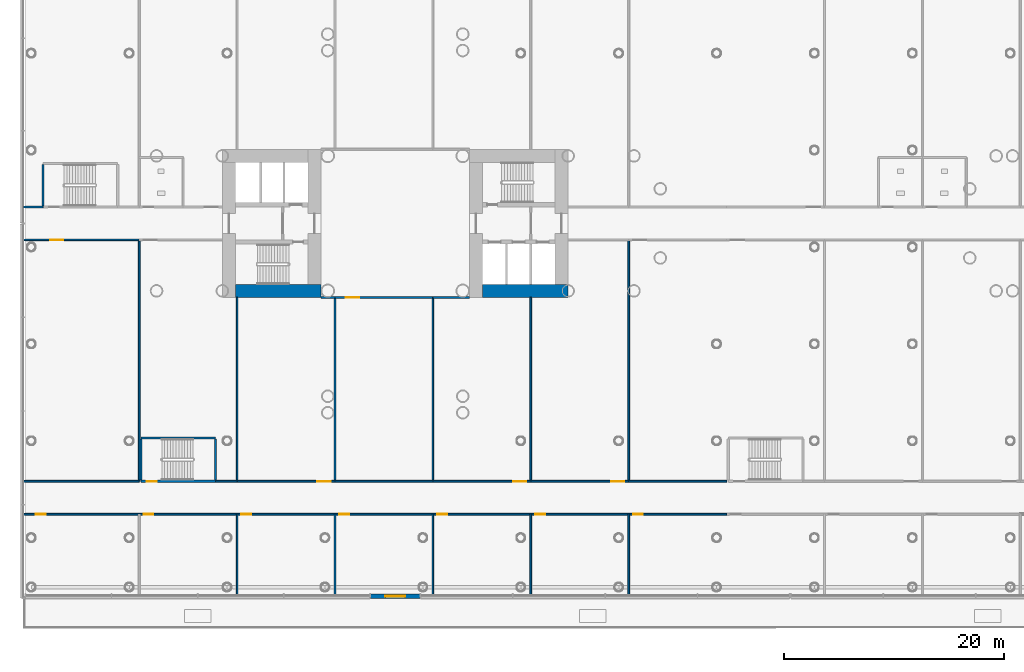
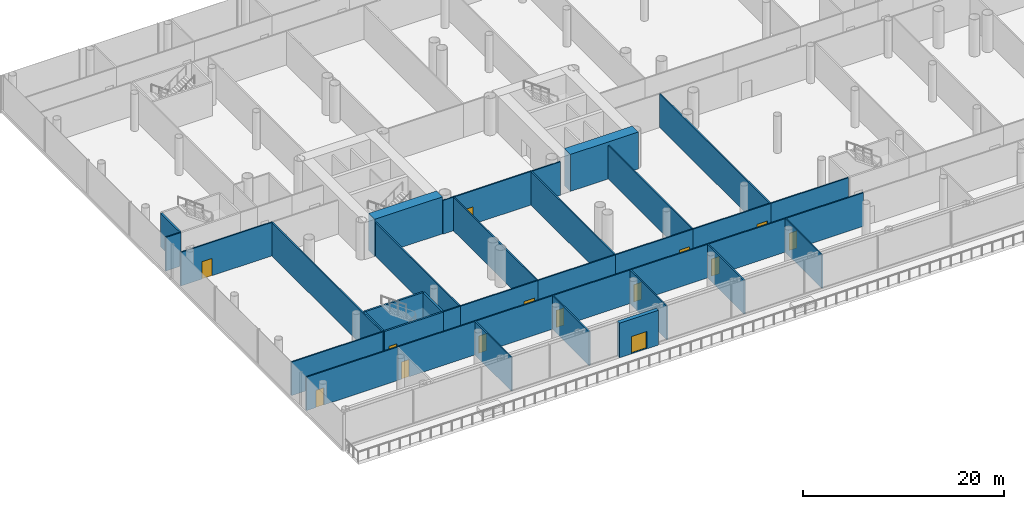
# One storey, part 17 of 51: 38 walls, 14 doors, 14 openings.
"""IFC4 building model written with IfcOpenShell, lengths in metres."""

from ifc_helpers import new_model, si_unit, direction, frame, frame_2d, origin, place, context, subcontext, project, spatial, rectangle, extrude, material, layer, layer_set, type_object, element, fill, save


model = new_model("IFC4")

# Units and contexts
model_context = context("Model", 3, precision=1e-05, world=origin(), true_north=direction((0.0, 1.0)))
body_context = subcontext(model_context, "Body", "Model", "MODEL_VIEW")
ifc_project = project(units=[si_unit("LENGTHUNIT", "METRE"), si_unit("AREAUNIT", "SQUARE_METRE"), si_unit("VOLUMEUNIT", "CUBIC_METRE"), si_unit("PLANEANGLEUNIT", "RADIAN"), si_unit("MASSUNIT", "GRAM", prefix="KILO")], contexts=[model_context])

# Site, building, storey
site_placement = place(None, origin())
site = spatial("IfcSite", under=ifc_project, at=site_placement, CompositionType="ELEMENT")
building_placement = place(site_placement, origin())
building = spatial("IfcBuilding", under=site, at=building_placement, Name="Ipe Terrace Towers", CompositionType="ELEMENT")
storey_placement = place(building_placement, frame((0.0, 0.0, 15.5)))
storey = spatial("IfcBuildingStorey", under=building, at=storey_placement, Name="L03", CompositionType="ELEMENT", Elevation=15.5)

# Wall, opening, door
ifc_material_1 = material(Name="Gypsum board partition", Category="plasterboard")
ifc_layer_1 = layer(ifc_material_1, 0.14990234375)
ifc_layer_set_1 = layer_set([ifc_layer_1], Name="Gypsum board partition 150 mm")
wall_type_1 = type_object("IfcWallType", Name="Gypsum board partition 150 mm", PredefinedType="PARTITIONING", material=ifc_layer_set_1)
wall_1_placement = place(storey_placement, frame((-69.85009765625, -26.5, 0.0), z_axis=(0.0, 0.0, 1.0), x_axis=(1.0, 0.0, 0.0)))
wall_1 = element("IfcWall", 1, at=wall_1_placement, inside=storey, type_object=wall_type_1, Name="Gypsum board partition T1 L03 pd-r0-w0", PredefinedType="PARTITIONING", context=body_context, shape_type="SweptSolid", body=[
    extrude(rectangle(XDim=10.52001953125, YDim=0.14990234375, at=frame_2d((5.260009765625, 0.0))), origin(), (0.0, 0.0, 1.0), 4.080078125),
])
opening_1_placement = place(wall_1_placement, frame((1.10009765625, 0.0, 0.0)))
opening_1 = element("IfcOpeningElement", 2, at=opening_1_placement, cuts=wall_1, Name="Opening PD-L03-r0", PredefinedType="OPENING", context=body_context, shape_type="SweptSolid", body=[
    extrude(rectangle(XDim=0.89990234375, YDim=2.10009765625, at=frame_2d((0.449951171875, 1.050048828125))), frame((0.0, 0.0849609375, 0.0), z_axis=(0.0, -1.0, 0.0), x_axis=(1.0, 0.0, 0.0)), (0.0, 0.0, 1.0), 0.169921875),
])
ifc_material_2 = material(Name="Fire-rated timber door leaf", Category="wood")
door_type_1 = type_object("IfcDoorType", Name="Lounge door 900 x 2100 FD30S", OperationType="NOTDEFINED", PredefinedType="DOOR", material=ifc_material_2)
door_1_placement = place(opening_1_placement, origin())
door_1 = element("IfcDoor", 3, at=door_1_placement, inside=storey, type_object=door_type_1, Name="Lounge door PD-L03-r0", OperationType="SINGLE_SWING_RIGHT", OverallHeight=2.10009765625, OverallWidth=0.89990234375, PredefinedType="DOOR", context=body_context, shape_type="SweptSolid", body=[
    extrude(rectangle(XDim=0.89990234375, YDim=2.10009765625, at=frame_2d((0.449951171875, 1.050048828125))), frame((0.0, 0.02490234375, 0.0), z_axis=(0.0, -1.0, 0.0), x_axis=(1.0, 0.0, 0.0)), (0.0, 0.0, 1.0), 0.050048828125),
])
fill(opening_1, door_1)

wall_2_placement = place(storey_placement, frame((-69.85009765625, -1.5, 0.0), z_axis=(0.0, 0.0, 1.0), x_axis=(1.0, 0.0, 0.0)))
wall_2 = element("IfcWall", 4, at=wall_2_placement, inside=storey, type_object=wall_type_1, Name="Gypsum board partition T1 L03 pd-r1-w2", PredefinedType="PARTITIONING", context=body_context, shape_type="SweptSolid", body=[
    extrude(rectangle(XDim=10.52001953125, YDim=0.14990234375, at=frame_2d((5.260009765625, 0.0))), origin(), (0.0, 0.0, 1.0), 4.080078125),
])
opening_2_placement = place(wall_2_placement, frame((2.39990234375, 0.0, 0.0)))
opening_2 = element("IfcOpeningElement", 5, at=opening_2_placement, cuts=wall_2, Name="Opening PD-L03-r1", PredefinedType="OPENING", context=body_context, shape_type="SweptSolid", body=[
    extrude(rectangle(XDim=1.199951171875, YDim=2.10009765625, at=frame_2d((0.60009765625, 1.050048828125))), frame((0.0, 0.0849609375, 0.0), z_axis=(0.0, -1.0, 0.0), x_axis=(1.0, 0.0, 0.0)), (0.0, 0.0, 1.0), 0.169921875),
])
ifc_material_3 = material(Name="Fire-rated timber door leaf", Category="wood")
door_type_2 = type_object("IfcDoorType", Name="Lounge door 1200 x 2100 FD30S", OperationType="NOTDEFINED", PredefinedType="DOOR", material=ifc_material_3)
door_2_placement = place(opening_2_placement, origin())
door_2 = element("IfcDoor", 6, at=door_2_placement, inside=storey, type_object=door_type_2, Name="Lounge door PD-L03-r1", OperationType="SINGLE_SWING_RIGHT", OverallHeight=2.10009765625, OverallWidth=1.199951171875, PredefinedType="DOOR", context=body_context, shape_type="SweptSolid", body=[
    extrude(rectangle(XDim=1.199951171875, YDim=2.10009765625, at=frame_2d((0.60009765625, 1.050048828125))), frame((0.0, 0.02490234375, 0.0), z_axis=(0.0, -1.0, 0.0), x_axis=(1.0, 0.0, 0.0)), (0.0, 0.0, 1.0), 0.050048828125),
])
fill(opening_2, door_2)

# Walls
wall_3_placement = place(storey_placement, frame((-59.330078125, -23.5, 0.0), z_axis=(0.0, 0.0, 1.0), x_axis=(-1.0, 0.0, 0.0)))
element("IfcWall", 7, at=wall_3_placement, inside=storey, type_object=wall_type_1, Name="Gypsum board partition T1 L03 pd-r1-w3", PredefinedType="PARTITIONING", context=body_context, shape_type="SweptSolid", body=[
    extrude(rectangle(XDim=10.52001953125, YDim=0.14990234375, at=frame_2d((5.260009765625, 0.0))), origin(), (0.0, 0.0, 1.0), 4.080078125),
])
wall_4_placement = place(storey_placement, frame((-59.330078125, -1.5, 0.0), z_axis=(0.0, 0.0, 1.0), x_axis=(0.0, -1.0, 0.0)))
element("IfcWall", 8, at=wall_4_placement, inside=storey, type_object=wall_type_1, Name="Gypsum board partition T1 L03 pd-r1-r5-w4", PredefinedType="PARTITIONING", context=body_context, shape_type="SweptSolid", body=[
    extrude(rectangle(XDim=22.0, YDim=0.14990234375, at=frame_2d((11.0, 0.0))), origin(), (0.0, 0.0, 1.0), 4.080078125),
])
wall_5_placement = place(storey_placement, frame((-68.090087890625, 1.5, 0.0), z_axis=(0.0, 0.0, 1.0), x_axis=(-1.0, 0.0, 0.0)))
element("IfcWall", 9, at=wall_5_placement, inside=storey, type_object=wall_type_1, Name="Gypsum board partition T1 L03 pd-r2-w6", PredefinedType="PARTITIONING", context=body_context, shape_type="SweptSolid", body=[
    extrude(rectangle(XDim=1.760009765625, YDim=0.14990234375, at=frame_2d((0.8798828125, 0.0))), origin(), (0.0, 0.0, 1.0), 4.080078125),
])

# Wall, opening, door
wall_6_placement = place(storey_placement, frame((-59.330078125, -26.5, 0.0), z_axis=(0.0, 0.0, 1.0), x_axis=(1.0, 0.0, 0.0)))
wall_6 = element("IfcWall", 10, at=wall_6_placement, inside=storey, type_object=wall_type_1, Name="Gypsum board partition T1 L03 pd-r4-w11", PredefinedType="PARTITIONING", context=body_context, shape_type="SweptSolid", body=[
    extrude(rectangle(XDim=8.920166015625, YDim=0.14990234375, at=frame_2d((4.4599609375, 0.0))), origin(), (0.0, 0.0, 1.0), 4.080078125),
])
opening_3_placement = place(wall_6_placement, frame((0.39990234375, 0.0, 0.0)))
opening_3 = element("IfcOpeningElement", 11, at=opening_3_placement, cuts=wall_6, Name="Opening PD-L03-r4", PredefinedType="OPENING", context=body_context, shape_type="SweptSolid", body=[
    extrude(rectangle(XDim=0.89990234375, YDim=2.10009765625, at=frame_2d((0.449951171875, 1.050048828125))), frame((0.0, 0.0849609375, 0.0), z_axis=(0.0, -1.0, 0.0), x_axis=(1.0, 0.0, 0.0)), (0.0, 0.0, 1.0), 0.169921875),
])
door_3_placement = place(opening_3_placement, origin())
door_3 = element("IfcDoor", 12, at=door_3_placement, inside=storey, type_object=door_type_1, Name="Lounge door PD-L03-r4", OperationType="SINGLE_SWING_RIGHT", OverallHeight=2.10009765625, OverallWidth=0.89990234375, PredefinedType="DOOR", context=body_context, shape_type="SweptSolid", body=[
    extrude(rectangle(XDim=0.89990234375, YDim=2.10009765625, at=frame_2d((0.449951171875, 1.050048828125))), frame((0.0, 0.02490234375, 0.0), z_axis=(0.0, -1.0, 0.0), x_axis=(1.0, 0.0, 0.0)), (0.0, 0.0, 1.0), 0.050048828125),
])
fill(opening_3, door_3)

# Walls
wall_7_placement = place(storey_placement, frame((-50.409912109375, -26.5, 0.0), z_axis=(0.0, 0.0, 1.0), x_axis=(0.0, -1.0, 0.0)))
element("IfcWall", 13, at=wall_7_placement, inside=storey, type_object=wall_type_1, Name="Gypsum board partition T1 L03 pd-r4-r8-w12", PredefinedType="PARTITIONING", context=body_context, shape_type="SweptSolid", body=[
    extrude(rectangle(XDim=7.35009765625, YDim=0.14990234375, at=frame_2d((3.675048828125, 0.0))), origin(), (0.0, 0.0, 1.0), 4.080078125),
])
wall_8_placement = place(storey_placement, frame((-50.409912109375, -23.5, 0.0), z_axis=(0.0, 0.0, 1.0), x_axis=(-1.0, 0.0, 0.0)))
element("IfcWall", 14, at=wall_8_placement, inside=storey, type_object=wall_type_1, Name="Gypsum board partition T1 L03 pd-r5-w14", PredefinedType="PARTITIONING", context=body_context, shape_type="SweptSolid", body=[
    extrude(rectangle(XDim=1.960205078125, YDim=0.14990234375, at=frame_2d((0.97998046875, 0.0))), origin(), (0.0, 0.0, 1.0), 4.080078125),
])
wall_9_placement = place(storey_placement, frame((-50.409912109375, -6.75, 0.0), z_axis=(0.0, 0.0, 1.0), x_axis=(0.0, -1.0, 0.0)))
element("IfcWall", 15, at=wall_9_placement, inside=storey, type_object=wall_type_1, Name="Gypsum board partition T1 L03 pd-r5-r9-w15", PredefinedType="PARTITIONING", context=body_context, shape_type="SweptSolid", body=[
    extrude(rectangle(XDim=16.75, YDim=0.14990234375, at=frame_2d((8.375, 0.0))), origin(), (0.0, 0.0, 1.0), 4.080078125),
])

# Wall, opening, door
wall_10_placement = place(storey_placement, frame((-50.409912109375, -26.5, 0.0), z_axis=(0.0, 0.0, 1.0), x_axis=(1.0, 0.0, 0.0)))
wall_10 = element("IfcWall", 16, at=wall_10_placement, inside=storey, type_object=wall_type_1, Name="Gypsum board partition T1 L03 pd-r8-w19", PredefinedType="PARTITIONING", context=body_context, shape_type="SweptSolid", body=[
    extrude(rectangle(XDim=8.919921875, YDim=0.14990234375, at=frame_2d((4.4599609375, 0.0))), origin(), (0.0, 0.0, 1.0), 4.080078125),
])
opening_4_placement = place(wall_10_placement, frame((0.39990234375, 0.0, 0.0)))
opening_4 = element("IfcOpeningElement", 17, at=opening_4_placement, cuts=wall_10, Name="Opening PD-L03-r8", PredefinedType="OPENING", context=body_context, shape_type="SweptSolid", body=[
    extrude(rectangle(XDim=0.89990234375, YDim=2.10009765625, at=frame_2d((0.449951171875, 1.050048828125))), frame((0.0, 0.0849609375, 0.0), z_axis=(0.0, -1.0, 0.0), x_axis=(1.0, 0.0, 0.0)), (0.0, 0.0, 1.0), 0.169921875),
])
door_4_placement = place(opening_4_placement, origin())
door_4 = element("IfcDoor", 18, at=door_4_placement, inside=storey, type_object=door_type_1, Name="Lounge door PD-L03-r8", OperationType="SINGLE_SWING_RIGHT", OverallHeight=2.10009765625, OverallWidth=0.89990234375, PredefinedType="DOOR", context=body_context, shape_type="SweptSolid", body=[
    extrude(rectangle(XDim=0.89990234375, YDim=2.10009765625, at=frame_2d((0.449951171875, 1.050048828125))), frame((0.0, 0.02490234375, 0.0), z_axis=(0.0, -1.0, 0.0), x_axis=(1.0, 0.0, 0.0)), (0.0, 0.0, 1.0), 0.050048828125),
])
fill(opening_4, door_4)

# Wall
wall_11_placement = place(storey_placement, frame((-42.75, -6.75, 0.0), z_axis=(0.0, 0.0, 1.0), x_axis=(1.0, 0.0, 0.0)))
element("IfcWall", 19, at=wall_11_placement, inside=storey, type_object=wall_type_1, Name="Gypsum board partition T1 L03 pd-r9-w20", PredefinedType="PARTITIONING", context=body_context, shape_type="SweptSolid", body=[
    extrude(rectangle(XDim=1.260009765625, YDim=0.14990234375, at=frame_2d((0.6298828125, 0.0))), origin(), (0.0, 0.0, 1.0), 4.080078125),
])

# Wall, opening, door
wall_12_placement = place(storey_placement, frame((-41.489990234375, -23.5, 0.0), z_axis=(0.0, 0.0, 1.0), x_axis=(-1.0, 0.0, 0.0)))
wall_12 = element("IfcWall", 20, at=wall_12_placement, inside=storey, type_object=wall_type_1, Name="Gypsum board partition T1 L03 pd-r9-w21", PredefinedType="PARTITIONING", context=body_context, shape_type="SweptSolid", body=[
    extrude(rectangle(XDim=8.919921875, YDim=0.14990234375, at=frame_2d((4.4599609375, 0.0))), origin(), (0.0, 0.0, 1.0), 4.080078125),
])
opening_5_placement = place(wall_12_placement, frame((0.39990234375, 0.0, 0.0)))
opening_5 = element("IfcOpeningElement", 21, at=opening_5_placement, cuts=wall_12, Name="Opening PD-L03-r9", PredefinedType="OPENING", context=body_context, shape_type="SweptSolid", body=[
    extrude(rectangle(XDim=1.199951171875, YDim=2.10009765625, at=frame_2d((0.60009765625, 1.050048828125))), frame((0.0, 0.0849609375, 0.0), z_axis=(0.0, -1.0, 0.0), x_axis=(1.0, 0.0, 0.0)), (0.0, 0.0, 1.0), 0.169921875),
])
door_5_placement = place(opening_5_placement, origin())
door_5 = element("IfcDoor", 22, at=door_5_placement, inside=storey, type_object=door_type_2, Name="Lounge door PD-L03-r9", OperationType="SINGLE_SWING_RIGHT", OverallHeight=2.10009765625, OverallWidth=1.199951171875, PredefinedType="DOOR", context=body_context, shape_type="SweptSolid", body=[
    extrude(rectangle(XDim=1.199951171875, YDim=2.10009765625, at=frame_2d((0.60009765625, 1.050048828125))), frame((0.0, 0.02490234375, 0.0), z_axis=(0.0, -1.0, 0.0), x_axis=(1.0, 0.0, 0.0)), (0.0, 0.0, 1.0), 0.050048828125),
])
fill(opening_5, door_5)

wall_13_placement = place(storey_placement, frame((-41.489990234375, -26.5, 0.0), z_axis=(0.0, 0.0, 1.0), x_axis=(1.0, 0.0, 0.0)))
wall_13 = element("IfcWall", 23, at=wall_13_placement, inside=storey, type_object=wall_type_1, Name="Gypsum board partition T1 L03 pd-r12-w29", PredefinedType="PARTITIONING", context=body_context, shape_type="SweptSolid", body=[
    extrude(rectangle(XDim=8.919921875, YDim=0.14990234375, at=frame_2d((4.4599609375, 0.0))), origin(), (0.0, 0.0, 1.0), 4.080078125),
])
opening_6_placement = place(wall_13_placement, frame((0.39990234375, 0.0, 0.0)))
opening_6 = element("IfcOpeningElement", 24, at=opening_6_placement, cuts=wall_13, Name="Opening PD-L03-r12", PredefinedType="OPENING", context=body_context, shape_type="SweptSolid", body=[
    extrude(rectangle(XDim=0.89990234375, YDim=2.10009765625, at=frame_2d((0.449951171875, 1.050048828125))), frame((0.0, 0.0849609375, 0.0), z_axis=(0.0, -1.0, 0.0), x_axis=(1.0, 0.0, 0.0)), (0.0, 0.0, 1.0), 0.169921875),
])
door_6_placement = place(opening_6_placement, origin())
door_6 = element("IfcDoor", 25, at=door_6_placement, inside=storey, type_object=door_type_1, Name="Lounge door PD-L03-r12", OperationType="SINGLE_SWING_RIGHT", OverallHeight=2.10009765625, OverallWidth=0.89990234375, PredefinedType="DOOR", context=body_context, shape_type="SweptSolid", body=[
    extrude(rectangle(XDim=0.89990234375, YDim=2.10009765625, at=frame_2d((0.449951171875, 1.050048828125))), frame((0.0, 0.02490234375, 0.0), z_axis=(0.0, -1.0, 0.0), x_axis=(1.0, 0.0, 0.0)), (0.0, 0.0, 1.0), 0.050048828125),
])
fill(opening_6, door_6)

# Walls
for number, where, z_axis, x_axis, name in (
    (26, (-41.489990234375, -33.85009765625, 0.0), (0.0, 0.0, 1.0), (0.0, 1.0, 0.0), "Gypsum board partition T1 L03 pd-r12-r8-w30"),
    (27, (-32.570068359375, -26.5, 0.0), (0.0, 0.0, 1.0), (0.0, -1.0, 0.0), "Gypsum board partition T1 L03 pd-r12-r16-w31"),
):
    element("IfcWall", number, at=place(storey_placement, frame(where, z_axis=z_axis, x_axis=x_axis)), inside=storey, type_object=wall_type_1, Name=name, PredefinedType="PARTITIONING", context=body_context, shape_type="SweptSolid", body=[
        extrude(rectangle(XDim=7.35009765625, YDim=0.14990234375, at=frame_2d((3.675048828125, 0.0))), origin(), (0.0, 0.0, 1.0), 4.080078125),
    ])

# Wall, opening, door
wall_14_placement = place(storey_placement, frame((-41.489990234375, -6.75, 0.0), z_axis=(0.0, 0.0, 1.0), x_axis=(1.0, 0.0, 0.0)))
wall_14 = element("IfcWall", 28, at=wall_14_placement, inside=storey, type_object=wall_type_1, Name="Gypsum board partition T1 L03 pd-r13-w32", PredefinedType="PARTITIONING", context=body_context, shape_type="SweptSolid", body=[
    extrude(rectangle(XDim=8.919921875, YDim=0.14990234375, at=frame_2d((4.4599609375, 0.0))), origin(), (0.0, 0.0, 1.0), 4.080078125),
])
opening_7_placement = place(wall_14_placement, frame((1.0, 0.0, 0.0)))
opening_7 = element("IfcOpeningElement", 29, at=opening_7_placement, cuts=wall_14, Name="Opening PD-L03-r13", PredefinedType="OPENING", context=body_context, shape_type="SweptSolid", body=[
    extrude(rectangle(XDim=1.199951171875, YDim=2.10009765625, at=frame_2d((0.60009765625, 1.050048828125))), frame((0.0, 0.0849609375, 0.0), z_axis=(0.0, -1.0, 0.0), x_axis=(1.0, 0.0, 0.0)), (0.0, 0.0, 1.0), 0.169921875),
])
door_7_placement = place(opening_7_placement, origin())
door_7 = element("IfcDoor", 30, at=door_7_placement, inside=storey, type_object=door_type_2, Name="Lounge door PD-L03-r13", OperationType="SINGLE_SWING_RIGHT", OverallHeight=2.10009765625, OverallWidth=1.199951171875, PredefinedType="DOOR", context=body_context, shape_type="SweptSolid", body=[
    extrude(rectangle(XDim=1.199951171875, YDim=2.10009765625, at=frame_2d((0.60009765625, 1.050048828125))), frame((0.0, 0.02490234375, 0.0), z_axis=(0.0, -1.0, 0.0), x_axis=(1.0, 0.0, 0.0)), (0.0, 0.0, 1.0), 0.050048828125),
])
fill(opening_7, door_7)

# Walls
wall_15_placement = place(storey_placement, frame((-32.570068359375, -23.5, 0.0), z_axis=(0.0, 0.0, 1.0), x_axis=(-1.0, 0.0, 0.0)))
element("IfcWall", 31, at=wall_15_placement, inside=storey, type_object=wall_type_1, Name="Gypsum board partition T1 L03 pd-r13-w33", PredefinedType="PARTITIONING", context=body_context, shape_type="SweptSolid", body=[
    extrude(rectangle(XDim=8.919921875, YDim=0.14990234375, at=frame_2d((4.4599609375, 0.0))), origin(), (0.0, 0.0, 1.0), 4.080078125),
])
for number, where, z_axis, x_axis, name in (
    (32, (-41.489990234375, -23.5, 0.0), (0.0, 0.0, 1.0), (0.0, 1.0, 0.0), "Gypsum board partition T1 L03 pd-r13-r9-w34"),
    (33, (-32.570068359375, -6.75, 0.0), (0.0, 0.0, 1.0), (0.0, -1.0, 0.0), "Gypsum board partition T1 L03 pd-r13-r17-w35"),
):
    element("IfcWall", number, at=place(storey_placement, frame(where, z_axis=z_axis, x_axis=x_axis)), inside=storey, type_object=wall_type_1, Name=name, PredefinedType="PARTITIONING", context=body_context, shape_type="SweptSolid", body=[
        extrude(rectangle(XDim=16.75, YDim=0.14990234375, at=frame_2d((8.375, 0.0))), origin(), (0.0, 0.0, 1.0), 4.080078125),
    ])

# Wall, opening, door
wall_16_placement = place(storey_placement, frame((-32.570068359375, -26.5, 0.0), z_axis=(0.0, 0.0, 1.0), x_axis=(1.0, 0.0, 0.0)))
wall_16 = element("IfcWall", 34, at=wall_16_placement, inside=storey, type_object=wall_type_1, Name="Gypsum board partition T1 L03 pd-r16-w41", PredefinedType="PARTITIONING", context=body_context, shape_type="SweptSolid", body=[
    extrude(rectangle(XDim=8.920166015625, YDim=0.14990234375, at=frame_2d((4.4599609375, 0.0))), origin(), (0.0, 0.0, 1.0), 4.080078125),
])
opening_8_placement = place(wall_16_placement, frame((0.39990234375, 0.0, 0.0)))
opening_8 = element("IfcOpeningElement", 35, at=opening_8_placement, cuts=wall_16, Name="Opening PD-L03-r16", PredefinedType="OPENING", context=body_context, shape_type="SweptSolid", body=[
    extrude(rectangle(XDim=0.89990234375, YDim=2.10009765625, at=frame_2d((0.449951171875, 1.050048828125))), frame((0.0, 0.0849609375, 0.0), z_axis=(0.0, -1.0, 0.0), x_axis=(1.0, 0.0, 0.0)), (0.0, 0.0, 1.0), 0.169921875),
])
door_8_placement = place(opening_8_placement, origin())
door_8 = element("IfcDoor", 36, at=door_8_placement, inside=storey, type_object=door_type_1, Name="Lounge door PD-L03-r16", OperationType="SINGLE_SWING_RIGHT", OverallHeight=2.10009765625, OverallWidth=0.89990234375, PredefinedType="DOOR", context=body_context, shape_type="SweptSolid", body=[
    extrude(rectangle(XDim=0.89990234375, YDim=2.10009765625, at=frame_2d((0.449951171875, 1.050048828125))), frame((0.0, 0.02490234375, 0.0), z_axis=(0.0, -1.0, 0.0), x_axis=(1.0, 0.0, 0.0)), (0.0, 0.0, 1.0), 0.050048828125),
])
fill(opening_8, door_8)

# Walls
wall_17_placement = place(storey_placement, frame((-23.64990234375, -26.5, 0.0), z_axis=(0.0, 0.0, 1.0), x_axis=(0.0, -1.0, 0.0)))
element("IfcWall", 37, at=wall_17_placement, inside=storey, type_object=wall_type_1, Name="Gypsum board partition T1 L03 pd-r16-r20-w42", PredefinedType="PARTITIONING", context=body_context, shape_type="SweptSolid", body=[
    extrude(rectangle(XDim=7.35009765625, YDim=0.14990234375, at=frame_2d((3.675048828125, 0.0))), origin(), (0.0, 0.0, 1.0), 4.080078125),
])
wall_18_placement = place(storey_placement, frame((-32.570068359375, -6.75, 0.0), z_axis=(0.0, 0.0, 1.0), x_axis=(1.0, 0.0, 0.0)))
element("IfcWall", 38, at=wall_18_placement, inside=storey, type_object=wall_type_1, Name="Gypsum board partition T1 L03 pd-r17-w43", PredefinedType="PARTITIONING", context=body_context, shape_type="SweptSolid", body=[
    extrude(rectangle(XDim=3.320068359375, YDim=0.14990234375, at=frame_2d((1.66015625, 0.0))), origin(), (0.0, 0.0, 1.0), 4.080078125),
])

# Wall, opening, door
wall_19_placement = place(storey_placement, frame((-23.64990234375, -23.5, 0.0), z_axis=(0.0, 0.0, 1.0), x_axis=(-1.0, 0.0, 0.0)))
wall_19 = element("IfcWall", 39, at=wall_19_placement, inside=storey, type_object=wall_type_1, Name="Gypsum board partition T1 L03 pd-r17-w44", PredefinedType="PARTITIONING", context=body_context, shape_type="SweptSolid", body=[
    extrude(rectangle(XDim=8.920166015625, YDim=0.14990234375, at=frame_2d((4.4599609375, 0.0))), origin(), (0.0, 0.0, 1.0), 4.080078125),
])
opening_9_placement = place(wall_19_placement, frame((0.39990234375, 0.0, 0.0)))
opening_9 = element("IfcOpeningElement", 40, at=opening_9_placement, cuts=wall_19, Name="Opening PD-L03-r17", PredefinedType="OPENING", context=body_context, shape_type="SweptSolid", body=[
    extrude(rectangle(XDim=1.199951171875, YDim=2.10009765625, at=frame_2d((0.60009765625, 1.050048828125))), frame((0.0, 0.0849609375, 0.0), z_axis=(0.0, -1.0, 0.0), x_axis=(1.0, 0.0, 0.0)), (0.0, 0.0, 1.0), 0.169921875),
])
door_9_placement = place(opening_9_placement, origin())
door_9 = element("IfcDoor", 41, at=door_9_placement, inside=storey, type_object=door_type_2, Name="Lounge door PD-L03-r17", OperationType="SINGLE_SWING_RIGHT", OverallHeight=2.10009765625, OverallWidth=1.199951171875, PredefinedType="DOOR", context=body_context, shape_type="SweptSolid", body=[
    extrude(rectangle(XDim=1.199951171875, YDim=2.10009765625, at=frame_2d((0.60009765625, 1.050048828125))), frame((0.0, 0.02490234375, 0.0), z_axis=(0.0, -1.0, 0.0), x_axis=(1.0, 0.0, 0.0)), (0.0, 0.0, 1.0), 0.050048828125),
])
fill(opening_9, door_9)

# Wall
wall_20_placement = place(storey_placement, frame((-23.64990234375, -6.75, 0.0), z_axis=(0.0, 0.0, 1.0), x_axis=(0.0, -1.0, 0.0)))
element("IfcWall", 42, at=wall_20_placement, inside=storey, type_object=wall_type_1, Name="Gypsum board partition T1 L03 pd-r17-r22-w45", PredefinedType="PARTITIONING", context=body_context, shape_type="SweptSolid", body=[
    extrude(rectangle(XDim=16.75, YDim=0.14990234375, at=frame_2d((8.375, 0.0))), origin(), (0.0, 0.0, 1.0), 4.080078125),
])

# Wall, opening, door
wall_21_placement = place(storey_placement, frame((-23.64990234375, -26.5, 0.0), z_axis=(0.0, 0.0, 1.0), x_axis=(1.0, 0.0, 0.0)))
wall_21 = element("IfcWall", 43, at=wall_21_placement, inside=storey, type_object=wall_type_1, Name="Gypsum board partition T1 L03 pd-r20-w51", PredefinedType="PARTITIONING", context=body_context, shape_type="SweptSolid", body=[
    extrude(rectangle(XDim=8.919921875, YDim=0.14990234375, at=frame_2d((4.4599609375, 0.0))), origin(), (0.0, 0.0, 1.0), 4.080078125),
])
opening_10_placement = place(wall_21_placement, frame((0.39990234375, 0.0, 0.0)))
opening_10 = element("IfcOpeningElement", 44, at=opening_10_placement, cuts=wall_21, Name="Opening PD-L03-r20", PredefinedType="OPENING", context=body_context, shape_type="SweptSolid", body=[
    extrude(rectangle(XDim=0.89990234375, YDim=2.10009765625, at=frame_2d((0.449951171875, 1.050048828125))), frame((0.0, 0.0849609375, 0.0), z_axis=(0.0, -1.0, 0.0), x_axis=(1.0, 0.0, 0.0)), (0.0, 0.0, 1.0), 0.169921875),
])
door_10_placement = place(opening_10_placement, origin())
door_10 = element("IfcDoor", 45, at=door_10_placement, inside=storey, type_object=door_type_1, Name="Lounge door PD-L03-r20", OperationType="SINGLE_SWING_RIGHT", OverallHeight=2.10009765625, OverallWidth=0.89990234375, PredefinedType="DOOR", context=body_context, shape_type="SweptSolid", body=[
    extrude(rectangle(XDim=0.89990234375, YDim=2.10009765625, at=frame_2d((0.449951171875, 1.050048828125))), frame((0.0, 0.02490234375, 0.0), z_axis=(0.0, -1.0, 0.0), x_axis=(1.0, 0.0, 0.0)), (0.0, 0.0, 1.0), 0.050048828125),
])
fill(opening_10, door_10)

# Wall
wall_22_placement = place(storey_placement, frame((-14.72998046875, -26.5, 0.0), z_axis=(0.0, 0.0, 1.0), x_axis=(0.0, -1.0, 0.0)))
element("IfcWall", 46, at=wall_22_placement, inside=storey, type_object=wall_type_1, Name="Gypsum board partition T1 L03 pd-r20-r24-w52", PredefinedType="PARTITIONING", context=body_context, shape_type="SweptSolid", body=[
    extrude(rectangle(XDim=7.35009765625, YDim=0.14990234375, at=frame_2d((3.675048828125, 0.0))), origin(), (0.0, 0.0, 1.0), 4.080078125),
])

# Wall, opening, door
wall_23_placement = place(storey_placement, frame((-14.72998046875, -23.5, 0.0), z_axis=(0.0, 0.0, 1.0), x_axis=(-1.0, 0.0, 0.0)))
wall_23 = element("IfcWall", 47, at=wall_23_placement, inside=storey, type_object=wall_type_1, Name="Gypsum board partition T1 L03 pd-r22-w56", PredefinedType="PARTITIONING", context=body_context, shape_type="SweptSolid", body=[
    extrude(rectangle(XDim=8.919921875, YDim=0.14990234375, at=frame_2d((4.4599609375, 0.0))), origin(), (0.0, 0.0, 1.0), 4.080078125),
])
opening_11_placement = place(wall_23_placement, frame((0.39990234375, 0.0, 0.0)))
opening_11 = element("IfcOpeningElement", 48, at=opening_11_placement, cuts=wall_23, Name="Opening PD-L03-r22", PredefinedType="OPENING", context=body_context, shape_type="SweptSolid", body=[
    extrude(rectangle(XDim=1.199951171875, YDim=2.10009765625, at=frame_2d((0.60009765625, 1.050048828125))), frame((0.0, 0.0849609375, 0.0), z_axis=(0.0, -1.0, 0.0), x_axis=(1.0, 0.0, 0.0)), (0.0, 0.0, 1.0), 0.169921875),
])
door_11_placement = place(opening_11_placement, origin())
door_11 = element("IfcDoor", 49, at=door_11_placement, inside=storey, type_object=door_type_2, Name="Lounge door PD-L03-r22", OperationType="SINGLE_SWING_RIGHT", OverallHeight=2.10009765625, OverallWidth=1.199951171875, PredefinedType="DOOR", context=body_context, shape_type="SweptSolid", body=[
    extrude(rectangle(XDim=1.199951171875, YDim=2.10009765625, at=frame_2d((0.60009765625, 1.050048828125))), frame((0.0, 0.02490234375, 0.0), z_axis=(0.0, -1.0, 0.0), x_axis=(1.0, 0.0, 0.0)), (0.0, 0.0, 1.0), 0.050048828125),
])
fill(opening_11, door_11)

# Wall
wall_24_placement = place(storey_placement, frame((-14.72998046875, -1.5, 0.0), z_axis=(0.0, 0.0, 1.0), x_axis=(0.0, -1.0, 0.0)))
element("IfcWall", 50, at=wall_24_placement, inside=storey, type_object=wall_type_1, Name="Gypsum board partition T1 L03 pd-r22-r25-w57", PredefinedType="PARTITIONING", context=body_context, shape_type="SweptSolid", body=[
    extrude(rectangle(XDim=22.0, YDim=0.14990234375, at=frame_2d((11.0, 0.0))), origin(), (0.0, 0.0, 1.0), 4.080078125),
])

# Wall, opening, door
wall_25_placement = place(storey_placement, frame((-14.72998046875, -26.5, 0.0), z_axis=(0.0, 0.0, 1.0), x_axis=(1.0, 0.0, 0.0)))
wall_25 = element("IfcWall", 51, at=wall_25_placement, inside=storey, type_object=wall_type_1, Name="Gypsum board partition T1 L03 pd-r24-w61", PredefinedType="PARTITIONING", context=body_context, shape_type="SweptSolid", body=[
    extrude(rectangle(XDim=8.919921875, YDim=0.14990234375, at=frame_2d((4.4599609375, 0.0))), origin(), (0.0, 0.0, 1.0), 4.080078125),
])
opening_12_placement = place(wall_25_placement, frame((0.39990234375, 0.0, 0.0)))
opening_12 = element("IfcOpeningElement", 52, at=opening_12_placement, cuts=wall_25, Name="Opening PD-L03-r24", PredefinedType="OPENING", context=body_context, shape_type="SweptSolid", body=[
    extrude(rectangle(XDim=0.89990234375, YDim=2.10009765625, at=frame_2d((0.449951171875, 1.050048828125))), frame((0.0, 0.0849609375, 0.0), z_axis=(0.0, -1.0, 0.0), x_axis=(1.0, 0.0, 0.0)), (0.0, 0.0, 1.0), 0.169921875),
])
door_12_placement = place(opening_12_placement, origin())
door_12 = element("IfcDoor", 53, at=door_12_placement, inside=storey, type_object=door_type_1, Name="Lounge door PD-L03-r24", OperationType="SINGLE_SWING_RIGHT", OverallHeight=2.10009765625, OverallWidth=0.89990234375, PredefinedType="DOOR", context=body_context, shape_type="SweptSolid", body=[
    extrude(rectangle(XDim=0.89990234375, YDim=2.10009765625, at=frame_2d((0.449951171875, 1.050048828125))), frame((0.0, 0.02490234375, 0.0), z_axis=(0.0, -1.0, 0.0), x_axis=(1.0, 0.0, 0.0)), (0.0, 0.0, 1.0), 0.050048828125),
])
fill(opening_12, door_12)

# Wall
wall_26_placement = place(storey_placement, frame((-5.81005859375, -23.5, 0.0), z_axis=(0.0, 0.0, 1.0), x_axis=(-1.0, 0.0, 0.0)))
element("IfcWall", 54, at=wall_26_placement, inside=storey, type_object=wall_type_1, Name="Gypsum board partition T1 L03 pd-r25-w63", PredefinedType="PARTITIONING", context=body_context, shape_type="SweptSolid", body=[
    extrude(rectangle(XDim=8.919921875, YDim=0.14990234375, at=frame_2d((4.4599609375, 0.0))), origin(), (0.0, 0.0, 1.0), 4.080078125),
])

# Wall, opening, door
ifc_material_4 = material(Name="Concrete C40/50 with buff precast cladding", Category="concrete")
ifc_layer_2 = layer(ifc_material_4, 0.43994140625)
ifc_layer_set_2 = layer_set([ifc_layer_2], Name="PODIUM CLADDING WALL 440")
wall_type_2 = type_object("IfcWallType", Name="PODIUM CLADDING WALL 440", PredefinedType="STANDARD", material=ifc_layer_set_2)
wall_27_placement = place(storey_placement, frame((-38.25, -33.969970703125, -0.02001953125), z_axis=(0.0, 0.0, 1.0), x_axis=(1.0, 0.0, 0.0)))
wall_27 = element("IfcWall", 55, at=wall_27_placement, inside=storey, type_object=wall_type_2, Name="POD-W-L03-03b wall", PredefinedType="STANDARD", context=body_context, shape_type="SweptSolid", body=[
    extrude(rectangle(XDim=4.5, YDim=0.43994140625, at=frame_2d((2.25, 0.0))), origin(), (0.0, 0.0, 1.0), 4.219970703125),
])
opening_13_placement = place(wall_27_placement, frame((1.35009765625, 0.0, 0.02001953125)))
opening_13 = element("IfcOpeningElement", 56, at=opening_13_placement, cuts=wall_27, Name="Opening POD-D-L03-01", PredefinedType="OPENING", context=body_context, shape_type="SweptSolid", body=[
    extrude(rectangle(XDim=1.800048828125, YDim=2.10009765625, at=frame_2d((0.89990234375, 1.050048828125))), frame((0.0, 0.22998046875, 0.0), z_axis=(0.0, -1.0, 0.0), x_axis=(1.0, 0.0, 0.0)), (0.0, 0.0, 1.0), 0.4599609375),
])
ifc_material_5 = material(Name="Aluminium alloy 6063-T6 framed glazed door", Category="aluminium")
door_type_3 = type_object("IfcDoorType", Name="PODIUM TERRACE DOOR 1800 x 2100", OperationType="DOUBLE_DOOR_SINGLE_SWING", PredefinedType="DOOR", material=ifc_material_5)
door_13_placement = place(opening_13_placement, origin())
door_13 = element("IfcDoor", 57, at=door_13_placement, inside=storey, type_object=door_type_3, Name="DT2 terrace door", OperationType="DOUBLE_DOOR_SINGLE_SWING", OverallHeight=2.10009765625, OverallWidth=1.800048828125, PredefinedType="DOOR", context=body_context, shape_type="SweptSolid", body=[
    extrude(rectangle(XDim=1.800048828125, YDim=2.10009765625, at=frame_2d((0.89990234375, 1.050048828125))), frame((0.0, 0.02490234375, 0.0), z_axis=(0.0, -1.0, 0.0), x_axis=(1.0, 0.0, 0.0)), (0.0, 0.0, 1.0), 0.050048828125),
])
fill(opening_13, door_13)

# Walls
ifc_material_6 = material(Name="Concrete C60/75", Category="concrete")
ifc_layer_3 = layer(ifc_material_6, 1.199951171875)
ifc_layer_set_3 = layer_set([ifc_layer_3], Name="RW1200 CORE WALL 1200 C60-75")
wall_type_3 = type_object("IfcWallType", Name="RW1200 CORE WALL 1200 C60-75", PredefinedType="SHEAR", material=ifc_layer_set_3)
for number, where, z_axis, x_axis, name in (
    (58, (-28.050048828125, -6.14990234375, 0.0), (0.0, 0.0, 1.0), (1.0, 0.0, 0.0), "Core wall T1-C1-P-W01"),
    (59, (-50.550048828125, -6.14990234375, 0.0), (0.0, 0.0, 1.0), (1.0, 0.0, 0.0), "Core wall T1-C2-P-W01"),
):
    element("IfcWall", number, at=place(storey_placement, frame(where, z_axis=z_axis, x_axis=x_axis)), inside=storey, type_object=wall_type_3, Name=name, PredefinedType="SHEAR", context=body_context, shape_type="SweptSolid", body=[
        extrude(rectangle(XDim=7.800048828125, YDim=1.199951171875, at=frame_2d((3.89990234375, 0.0))), origin(), (0.0, 0.0, 1.0), 4.5),
    ])

# Wall, opening, door
ifc_material_7 = material(Name="Concrete C40/50", Category="concrete")
ifc_layer_4 = layer(ifc_material_7, 0.199951171875)
ifc_layer_set_4 = layer_set([ifc_layer_4], Name="RW200 PODIUM STAIR SHAFT WALL 200 C40-50")
wall_type_4 = type_object("IfcWallType", Name="RW200 PODIUM STAIR SHAFT WALL 200 C40-50", PredefinedType="SHEAR", material=ifc_layer_set_4)
wall_28_placement = place(storey_placement, frame((-59.169921875, -23.5, 0.0), z_axis=(0.0, 0.0, 1.0), x_axis=(1.0, 0.0, 0.0)))
wall_28 = element("IfcWall", 60, at=wall_28_placement, inside=storey, type_object=wall_type_4, Name="Stair shaft wall T1 L03 ps4-c", PredefinedType="SHEAR", context=body_context, shape_type="SweptSolid", body=[
    extrude(rectangle(XDim=6.7998046875, YDim=0.199951171875, at=frame_2d((3.39990234375, 0.0))), origin(), (0.0, 0.0, 1.0), 4.080078125),
])
opening_14_placement = place(wall_28_placement, frame((0.550048828125, 0.0, 0.0)))
opening_14 = element("IfcOpeningElement", 61, at=opening_14_placement, cuts=wall_28, Name="Opening PS4-SD", PredefinedType="OPENING", context=body_context, shape_type="SweptSolid", body=[
    extrude(rectangle(XDim=0.89990234375, YDim=2.10009765625, at=frame_2d((0.449951171875, 1.050048828125))), frame((0.0, 0.10986328125, 0.0), z_axis=(0.0, -1.0, 0.0), x_axis=(1.0, 0.0, 0.0)), (0.0, 0.0, 1.0), 0.219970703125),
])
ifc_material_8 = material(Name="Fire-rated timber door leaf", Category="wood")
door_type_4 = type_object("IfcDoorType", Name="Stair door 900 x 2100 FD60", OperationType="NOTDEFINED", PredefinedType="DOOR", material=ifc_material_8)
door_14_placement = place(opening_14_placement, origin())
door_14 = element("IfcDoor", 62, at=door_14_placement, inside=storey, type_object=door_type_4, Name="Stair door PS4-SD", OperationType="SINGLE_SWING_RIGHT", OverallHeight=2.10009765625, OverallWidth=0.89990234375, PredefinedType="DOOR", context=body_context, shape_type="SweptSolid", body=[
    extrude(rectangle(XDim=0.89990234375, YDim=2.10009765625, at=frame_2d((0.449951171875, 1.050048828125))), frame((0.0, 0.02490234375, 0.0), z_axis=(0.0, -1.0, 0.0), x_axis=(1.0, 0.0, 0.0)), (0.0, 0.0, 1.0), 0.050048828125),
])
fill(opening_14, door_14)

# Walls
wall_29_placement = place(storey_placement, frame((-59.169921875, -19.550048828125, 0.0), z_axis=(0.0, 0.0, 1.0), x_axis=(1.0, 0.0, 0.0)))
element("IfcWall", 63, at=wall_29_placement, inside=storey, type_object=wall_type_4, Name="Stair shaft wall T1 L03 ps4-f", PredefinedType="SHEAR", context=body_context, shape_type="SweptSolid", body=[
    extrude(rectangle(XDim=6.7998046875, YDim=0.199951171875, at=frame_2d((3.39990234375, 0.0))), origin(), (0.0, 0.0, 1.0), 4.080078125),
])
for number, where, z_axis, x_axis, name in (
    (64, (-59.169921875, -23.39990234375, 0.0), (0.0, 0.0, 1.0), (0.0, 1.0, 0.0), "Stair shaft wall T1 L03 ps4-w"),
    (65, (-52.3701171875, -23.39990234375, 0.0), (0.0, 0.0, 1.0), (0.0, 1.0, 0.0), "Stair shaft wall T1 L03 ps4-e"),
    (66, (-68.090087890625, 1.60009765625, 0.0), (0.0, 0.0, 1.0), (0.0, 1.0, 0.0), "Stair shaft wall T1 L03 ps7-w"),
):
    element("IfcWall", number, at=place(storey_placement, frame(where, z_axis=z_axis, x_axis=x_axis)), inside=storey, type_object=wall_type_4, Name=name, PredefinedType="SHEAR", context=body_context, shape_type="SweptSolid", body=[
        extrude(rectangle(XDim=3.75, YDim=0.199951171875, at=frame_2d((1.875, 0.0))), origin(), (0.0, 0.0, 1.0), 4.080078125),
    ])

save(model, "model.ifc")
